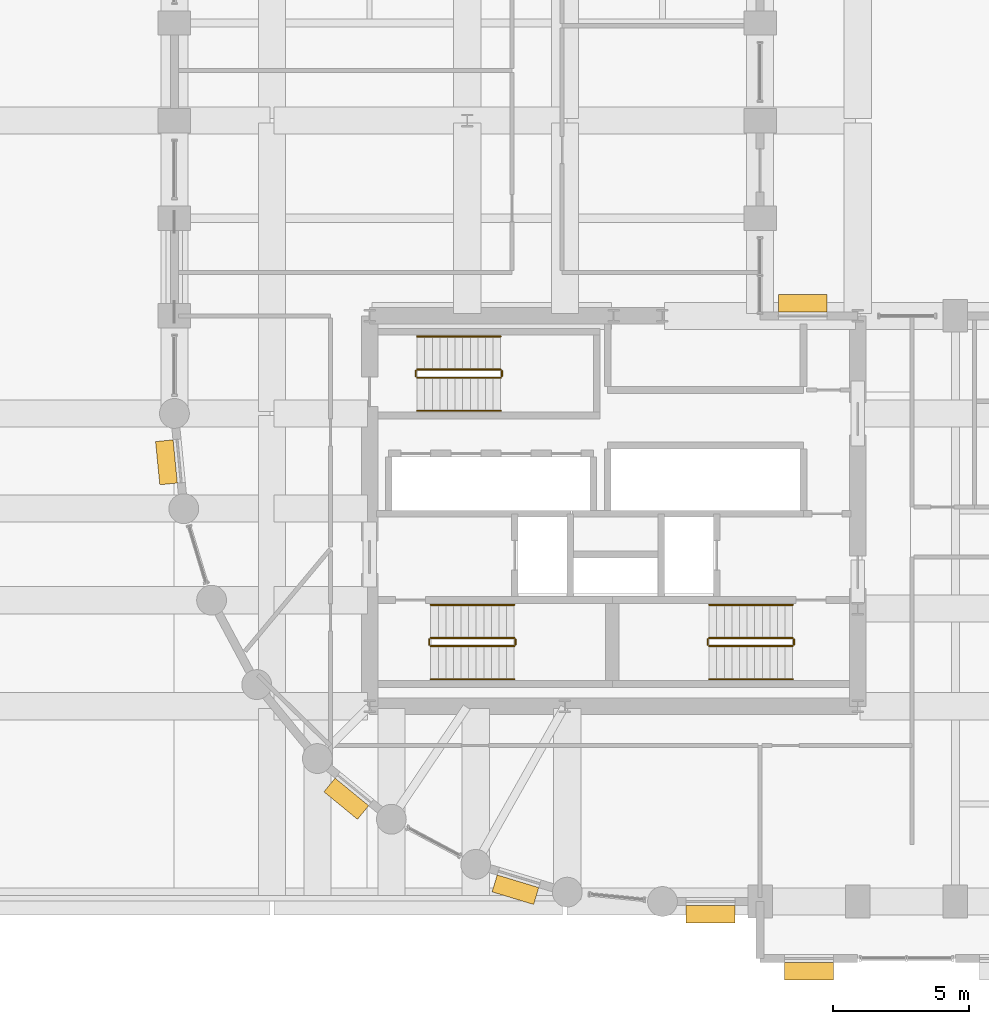
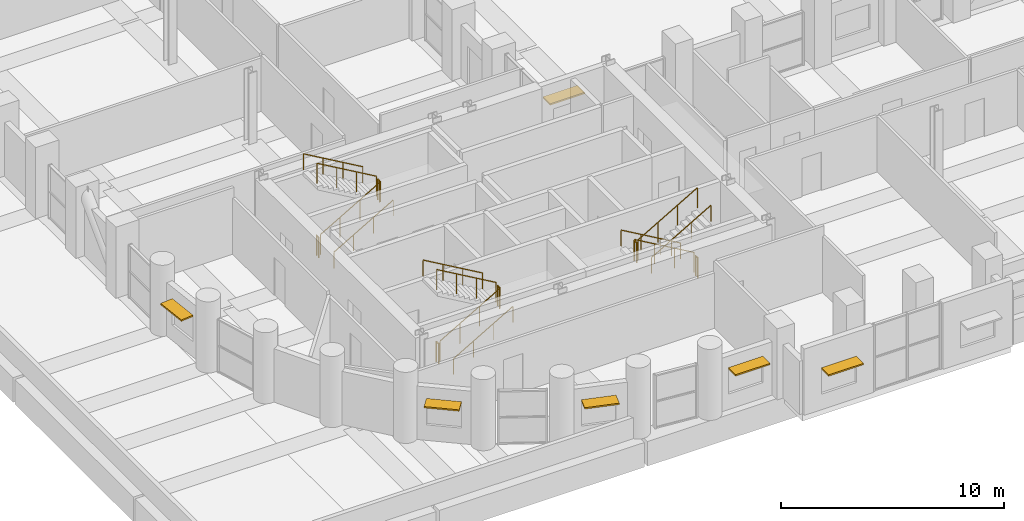
# One storey, part 38 of 39: 18 railings, 6 shading devices.
"""IFC4 building model written with IfcOpenShell, lengths in metres."""

from ifc_helpers import new_model, si_unit, direction, frame, origin, origin_2d, place, context, subcontext, project, spatial, rectangle, circle, extrude, material, layer, layer_set, type_object, element, save


model = new_model("IFC4")

# Units and contexts
model_context = context("Model", 3, precision=1e-05, world=origin(), true_north=direction((0.0, 1.0)))
body_context = subcontext(model_context, "Body", "Model", "MODEL_VIEW")
ifc_project = project(units=[si_unit("LENGTHUNIT", "METRE"), si_unit("AREAUNIT", "SQUARE_METRE"), si_unit("VOLUMEUNIT", "CUBIC_METRE"), si_unit("PLANEANGLEUNIT", "RADIAN"), si_unit("MASSUNIT", "GRAM", prefix="KILO")], contexts=[model_context])

# Site, building, storey
site_placement = place(None, origin())
site = spatial("IfcSite", under=ifc_project, at=site_placement, CompositionType="ELEMENT")
building_placement = place(site_placement, origin())
building = spatial("IfcBuilding", under=site, at=building_placement, Name="Solnavia Interchange Tower", CompositionType="ELEMENT")
storey_placement = place(building_placement, frame((0.0, 0.0, 24.0)))
storey = spatial("IfcBuildingStorey", under=building, at=storey_placement, Name="L05", CompositionType="ELEMENT", Elevation=24.0)

# Railings
ifc_material_1 = material(Name="Painted Steel Balustrade", Category="steel")
railing_type_1 = type_object("IfcRailingType", Name="Railing-StairGuard-1100", PredefinedType="GUARDRAIL", material=ifc_material_1)
railing_1_placement = place(storey_placement, frame((16.64990234375, 13.02001953125, 0.16259765625)))
element("IfcRailing", 1, at=railing_1_placement, inside=storey, type_object=railing_type_1, Name="L05 ST-1 stair guard 1", PredefinedType="GUARDRAIL", context=body_context, shape_type="SweptSolid", body=[
    extrude(circle(Radius=0.02392578125, at=origin_2d()), frame((0.0, 0.0, 1.09619140625), z_axis=(0.864920483161, 0.0, 0.501908913857), x_axis=(0.0, 1.0, 0.0)), (0.0, 0.0, 1.0), 3.56103515625),
    extrude(circle(Radius=0.02099609375, at=origin_2d()), origin(), (0.0, 0.0, 1.0), 1.072021484375),
    extrude(circle(Radius=0.02099609375, at=origin_2d()), frame((1.026611328125, 0.0, 0.595703125)), (0.0, 0.0, 1.0), 1.072021484375),
    extrude(circle(Radius=0.02099609375, at=origin_2d()), frame((2.053466796875, 0.0, 1.191650390625)), (0.0, 0.0, 1.0), 1.072021484375),
    extrude(circle(Radius=0.02099609375, at=origin_2d()), frame((3.080078125, 0.0, 1.787353515625)), (0.0, 0.0, 1.0), 1.072021484375),
])
railing_2_placement = place(storey_placement, frame((19.780029296875, 13.070068359375, 1.949951171875)))
element("IfcRailing", 2, at=railing_2_placement, inside=storey, type_object=railing_type_1, Name="L05 ST-1 stair guard 2", PredefinedType="GUARDRAIL", context=body_context, shape_type="SweptSolid", body=[
    extrude(circle(Radius=0.02392578125, at=origin_2d()), frame((0.0, 0.0, 1.09619140625), z_axis=(0.0, 1.0, 0.0), x_axis=(-1.0, 0.0, 0.0)), (0.0, 0.0, 1.0), 0.199951171875),
    extrude(circle(Radius=0.02099609375, at=origin_2d()), origin(), (0.0, 0.0, 1.0), 1.072021484375),
    extrude(circle(Radius=0.02099609375, at=origin_2d()), frame((0.0, 0.199951171875, 0.0)), (0.0, 0.0, 1.0), 1.072021484375),
])
railing_3_placement = place(storey_placement, frame((19.72998046875, 13.320068359375, 2.112548828125)))
element("IfcRailing", 3, at=railing_3_placement, inside=storey, type_object=railing_type_1, Name="L05 ST-1 stair guard 3", PredefinedType="GUARDRAIL", context=body_context, shape_type="SweptSolid", body=[
    extrude(circle(Radius=0.02392578125, at=origin_2d()), frame((0.0, 0.0, 1.09619140625), z_axis=(-0.864920483161, 0.0, 0.501908913857), x_axis=(0.0, -1.0, 0.0)), (0.0, 0.0, 1.0), 3.56103515625),
    extrude(circle(Radius=0.02099609375, at=origin_2d()), origin(), (0.0, 0.0, 1.0), 1.072021484375),
    extrude(circle(Radius=0.02099609375, at=origin_2d()), frame((-1.026611328125, 0.0, 0.595703125)), (0.0, 0.0, 1.0), 1.072021484375),
    extrude(circle(Radius=0.02099609375, at=origin_2d()), frame((-2.053466796875, 0.0, 1.191650390625)), (0.0, 0.0, 1.0), 1.072021484375),
    extrude(circle(Radius=0.02099609375, at=origin_2d()), frame((-3.080078125, 0.0, 1.787353515625)), (0.0, 0.0, 1.0), 1.072021484375),
])
railing_4_placement = place(storey_placement, frame((16.60009765625, 13.070068359375, 0.0)))
element("IfcRailing", 4, at=railing_4_placement, inside=storey, type_object=railing_type_1, Name="L05 ST-1 stair guard 4", PredefinedType="GUARDRAIL", context=body_context, shape_type="SweptSolid", body=[
    extrude(circle(Radius=0.02392578125, at=origin_2d()), frame((0.0, 0.0, 1.09619140625), z_axis=(0.0, 1.0, 0.0), x_axis=(-1.0, 0.0, 0.0)), (0.0, 0.0, 1.0), 0.199951171875),
    extrude(circle(Radius=0.02099609375, at=origin_2d()), origin(), (0.0, 0.0, 1.0), 1.072021484375),
    extrude(circle(Radius=0.02099609375, at=origin_2d()), frame((0.0, 0.199951171875, 0.0)), (0.0, 0.0, 1.0), 1.072021484375),
])
railing_5_placement = place(storey_placement, frame((30.0, 13.320068359375, 0.16259765625)))
element("IfcRailing", 5, at=railing_5_placement, inside=storey, type_object=railing_type_1, Name="L05 ST-2 stair guard 1", PredefinedType="GUARDRAIL", context=body_context, shape_type="SweptSolid", body=[
    extrude(circle(Radius=0.02392578125, at=origin_2d()), frame((0.0, 0.0, 1.09619140625), z_axis=(-0.864920483161, 0.0, 0.501908913857), x_axis=(0.0, -1.0, 0.0)), (0.0, 0.0, 1.0), 3.56103515625),
    extrude(circle(Radius=0.02099609375, at=origin_2d()), origin(), (0.0, 0.0, 1.0), 1.072021484375),
    extrude(circle(Radius=0.02099609375, at=origin_2d()), frame((-1.026611328125, 0.0, 0.595703125)), (0.0, 0.0, 1.0), 1.072021484375),
    extrude(circle(Radius=0.02099609375, at=origin_2d()), frame((-2.053466796875, 0.0, 1.191650390625)), (0.0, 0.0, 1.0), 1.072021484375),
    extrude(circle(Radius=0.02099609375, at=origin_2d()), frame((-3.080078125, 0.0, 1.787353515625)), (0.0, 0.0, 1.0), 1.072021484375),
])
railing_6_placement = place(storey_placement, frame((26.8701171875, 13.27001953125, 1.949951171875)))
element("IfcRailing", 6, at=railing_6_placement, inside=storey, type_object=railing_type_1, Name="L05 ST-2 stair guard 2", PredefinedType="GUARDRAIL", context=body_context, shape_type="SweptSolid", body=[
    extrude(circle(Radius=0.02392578125, at=origin_2d()), frame((0.0, 0.0, 1.09619140625), z_axis=(0.0, -1.0, 0.0), x_axis=(1.0, 0.0, 0.0)), (0.0, 0.0, 1.0), 0.199951171875),
    extrude(circle(Radius=0.02099609375, at=origin_2d()), origin(), (0.0, 0.0, 1.0), 1.072021484375),
    extrude(circle(Radius=0.02099609375, at=origin_2d()), frame((0.0, -0.199951171875, 0.0)), (0.0, 0.0, 1.0), 1.072021484375),
])
railing_7_placement = place(storey_placement, frame((26.919921875, 13.02001953125, 2.112548828125)))
element("IfcRailing", 7, at=railing_7_placement, inside=storey, type_object=railing_type_1, Name="L05 ST-2 stair guard 3", PredefinedType="GUARDRAIL", context=body_context, shape_type="SweptSolid", body=[
    extrude(circle(Radius=0.02392578125, at=origin_2d()), frame((0.0, 0.0, 1.09619140625), z_axis=(0.864920483161, 0.0, 0.501908913857), x_axis=(0.0, 1.0, 0.0)), (0.0, 0.0, 1.0), 3.56103515625),
    extrude(circle(Radius=0.02099609375, at=origin_2d()), origin(), (0.0, 0.0, 1.0), 1.072021484375),
    extrude(circle(Radius=0.02099609375, at=origin_2d()), frame((1.026611328125, 0.0, 0.595703125)), (0.0, 0.0, 1.0), 1.072021484375),
    extrude(circle(Radius=0.02099609375, at=origin_2d()), frame((2.053466796875, 0.0, 1.191650390625)), (0.0, 0.0, 1.0), 1.072021484375),
    extrude(circle(Radius=0.02099609375, at=origin_2d()), frame((3.080078125, 0.0, 1.787353515625)), (0.0, 0.0, 1.0), 1.072021484375),
])
railing_8_placement = place(storey_placement, frame((30.050048828125, 13.27001953125, 0.0)))
element("IfcRailing", 8, at=railing_8_placement, inside=storey, type_object=railing_type_1, Name="L05 ST-2 stair guard 4", PredefinedType="GUARDRAIL", context=body_context, shape_type="SweptSolid", body=[
    extrude(circle(Radius=0.02392578125, at=origin_2d()), frame((0.0, 0.0, 1.09619140625), z_axis=(0.0, -1.0, 0.0), x_axis=(1.0, 0.0, 0.0)), (0.0, 0.0, 1.0), 0.199951171875),
    extrude(circle(Radius=0.02099609375, at=origin_2d()), origin(), (0.0, 0.0, 1.0), 1.072021484375),
    extrude(circle(Radius=0.02099609375, at=origin_2d()), frame((0.0, -0.199951171875, 0.0)), (0.0, 0.0, 1.0), 1.072021484375),
])
railing_9_placement = place(storey_placement, frame((16.14990234375, 22.919921875, 0.16259765625)))
element("IfcRailing", 9, at=railing_9_placement, inside=storey, type_object=railing_type_1, Name="L05 ST-3 stair guard 1", PredefinedType="GUARDRAIL", context=body_context, shape_type="SweptSolid", body=[
    extrude(circle(Radius=0.02392578125, at=origin_2d()), frame((0.0, 0.0, 1.09619140625), z_axis=(0.864920483161, 0.0, 0.501908913857), x_axis=(0.0, 1.0, 0.0)), (0.0, 0.0, 1.0), 3.56103515625),
    extrude(circle(Radius=0.02099609375, at=origin_2d()), origin(), (0.0, 0.0, 1.0), 1.072021484375),
    extrude(circle(Radius=0.02099609375, at=origin_2d()), frame((1.026611328125, 0.0, 0.595703125)), (0.0, 0.0, 1.0), 1.072021484375),
    extrude(circle(Radius=0.02099609375, at=origin_2d()), frame((2.053466796875, 0.0, 1.191650390625)), (0.0, 0.0, 1.0), 1.072021484375),
    extrude(circle(Radius=0.02099609375, at=origin_2d()), frame((3.080078125, 0.0, 1.787353515625)), (0.0, 0.0, 1.0), 1.072021484375),
])
railing_10_placement = place(storey_placement, frame((19.280029296875, 22.969970703125, 1.949951171875)))
element("IfcRailing", 10, at=railing_10_placement, inside=storey, type_object=railing_type_1, Name="L05 ST-3 stair guard 2", PredefinedType="GUARDRAIL", context=body_context, shape_type="SweptSolid", body=[
    extrude(circle(Radius=0.02392578125, at=origin_2d()), frame((0.0, 0.0, 1.09619140625), z_axis=(0.0, 1.0, 0.0), x_axis=(-1.0, 0.0, 0.0)), (0.0, 0.0, 1.0), 0.199951171875),
    extrude(circle(Radius=0.02099609375, at=origin_2d()), origin(), (0.0, 0.0, 1.0), 1.072021484375),
    extrude(circle(Radius=0.02099609375, at=origin_2d()), frame((0.0, 0.199951171875, 0.0)), (0.0, 0.0, 1.0), 1.072021484375),
])
railing_11_placement = place(storey_placement, frame((19.22998046875, 23.219970703125, 2.112548828125)))
element("IfcRailing", 11, at=railing_11_placement, inside=storey, type_object=railing_type_1, Name="L05 ST-3 stair guard 3", PredefinedType="GUARDRAIL", context=body_context, shape_type="SweptSolid", body=[
    extrude(circle(Radius=0.02392578125, at=origin_2d()), frame((0.0, 0.0, 1.09619140625), z_axis=(-0.864920483161, 0.0, 0.501908913857), x_axis=(0.0, -1.0, 0.0)), (0.0, 0.0, 1.0), 3.56103515625),
    extrude(circle(Radius=0.02099609375, at=origin_2d()), origin(), (0.0, 0.0, 1.0), 1.072021484375),
    extrude(circle(Radius=0.02099609375, at=origin_2d()), frame((-1.026611328125, 0.0, 0.595703125)), (0.0, 0.0, 1.0), 1.072021484375),
    extrude(circle(Radius=0.02099609375, at=origin_2d()), frame((-2.053466796875, 0.0, 1.191650390625)), (0.0, 0.0, 1.0), 1.072021484375),
    extrude(circle(Radius=0.02099609375, at=origin_2d()), frame((-3.080078125, 0.0, 1.787353515625)), (0.0, 0.0, 1.0), 1.072021484375),
])
railing_12_placement = place(storey_placement, frame((16.10009765625, 22.969970703125, 0.0)))
element("IfcRailing", 12, at=railing_12_placement, inside=storey, type_object=railing_type_1, Name="L05 ST-3 stair guard 4", PredefinedType="GUARDRAIL", context=body_context, shape_type="SweptSolid", body=[
    extrude(circle(Radius=0.02392578125, at=origin_2d()), frame((0.0, 0.0, 1.09619140625), z_axis=(0.0, 1.0, 0.0), x_axis=(-1.0, 0.0, 0.0)), (0.0, 0.0, 1.0), 0.199951171875),
    extrude(circle(Radius=0.02099609375, at=origin_2d()), origin(), (0.0, 0.0, 1.0), 1.072021484375),
    extrude(circle(Radius=0.02099609375, at=origin_2d()), frame((0.0, 0.199951171875, 0.0)), (0.0, 0.0, 1.0), 1.072021484375),
])
ifc_material_2 = material(Name="Brushed Stainless Steel", Category="steel")
railing_type_2 = type_object("IfcRailingType", Name="Railing-StairHandrail-900", PredefinedType="HANDRAIL", material=ifc_material_2)
railing_13_placement = place(storey_placement, frame((16.64990234375, 11.800048828125, 0.16259765625)))
element("IfcRailing", 13, at=railing_13_placement, inside=storey, type_object=railing_type_2, Name="L05 ST-1 stair handrail 1", PredefinedType="HANDRAIL", context=body_context, shape_type="SweptSolid", body=[
    extrude(circle(Radius=0.02392578125, at=origin_2d()), frame((0.0, 0.0, 0.8759765625), z_axis=(0.864920483161, 0.0, 0.501908913857), x_axis=(0.0, 1.0, 0.0)), (0.0, 0.0, 1.0), 3.56103515625),
    extrude(circle(Radius=0.02099609375, at=origin_2d()), origin(), (0.0, 0.0, 1.0), 0.851806640625),
    extrude(circle(Radius=0.02099609375, at=origin_2d()), frame((1.026611328125, 0.0, 0.595703125)), (0.0, 0.0, 1.0), 0.851806640625),
    extrude(circle(Radius=0.02099609375, at=origin_2d()), frame((2.053466796875, 0.0, 1.191650390625)), (0.0, 0.0, 1.0), 0.851806640625),
    extrude(circle(Radius=0.02099609375, at=origin_2d()), frame((3.080078125, 0.0, 1.787353515625)), (0.0, 0.0, 1.0), 0.851806640625),
])
for number, where, name in (
    (14, (19.72998046875, 14.5400390625, 2.112548828125), "L05 ST-1 stair handrail 2"),
    (15, (30.0, 14.5400390625, 0.16259765625), "L05 ST-2 stair handrail 1"),
):
    element("IfcRailing", number, at=place(storey_placement, frame(where)), inside=storey, type_object=railing_type_2, Name=name, PredefinedType="HANDRAIL", context=body_context, shape_type="SweptSolid", body=[
        extrude(circle(Radius=0.02392578125, at=origin_2d()), frame((0.0, 0.0, 0.8759765625), z_axis=(-0.864920483161, 0.0, 0.501908913857), x_axis=(0.0, -1.0, 0.0)), (0.0, 0.0, 1.0), 3.56103515625),
        extrude(circle(Radius=0.02099609375, at=origin_2d()), origin(), (0.0, 0.0, 1.0), 0.851806640625),
        extrude(circle(Radius=0.02099609375, at=origin_2d()), frame((-1.026611328125, 0.0, 0.595703125)), (0.0, 0.0, 1.0), 0.851806640625),
        extrude(circle(Radius=0.02099609375, at=origin_2d()), frame((-2.053466796875, 0.0, 1.191650390625)), (0.0, 0.0, 1.0), 0.851806640625),
        extrude(circle(Radius=0.02099609375, at=origin_2d()), frame((-3.080078125, 0.0, 1.787353515625)), (0.0, 0.0, 1.0), 0.851806640625),
    ])
for number, where, name in (
    (16, (26.919921875, 11.800048828125, 2.112548828125), "L05 ST-2 stair handrail 2"),
    (17, (16.14990234375, 21.699951171875, 0.16259765625), "L05 ST-3 stair handrail 1"),
):
    element("IfcRailing", number, at=place(storey_placement, frame(where)), inside=storey, type_object=railing_type_2, Name=name, PredefinedType="HANDRAIL", context=body_context, shape_type="SweptSolid", body=[
        extrude(circle(Radius=0.02392578125, at=origin_2d()), frame((0.0, 0.0, 0.8759765625), z_axis=(0.864920483161, 0.0, 0.501908913857), x_axis=(0.0, 1.0, 0.0)), (0.0, 0.0, 1.0), 3.56103515625),
        extrude(circle(Radius=0.02099609375, at=origin_2d()), origin(), (0.0, 0.0, 1.0), 0.851806640625),
        extrude(circle(Radius=0.02099609375, at=origin_2d()), frame((1.026611328125, 0.0, 0.595703125)), (0.0, 0.0, 1.0), 0.851806640625),
        extrude(circle(Radius=0.02099609375, at=origin_2d()), frame((2.053466796875, 0.0, 1.191650390625)), (0.0, 0.0, 1.0), 0.851806640625),
        extrude(circle(Radius=0.02099609375, at=origin_2d()), frame((3.080078125, 0.0, 1.787353515625)), (0.0, 0.0, 1.0), 0.851806640625),
    ])
railing_14_placement = place(storey_placement, frame((19.22998046875, 24.43994140625, 2.112548828125)))
element("IfcRailing", 18, at=railing_14_placement, inside=storey, type_object=railing_type_2, Name="L05 ST-3 stair handrail 2", PredefinedType="HANDRAIL", context=body_context, shape_type="SweptSolid", body=[
    extrude(circle(Radius=0.02392578125, at=origin_2d()), frame((0.0, 0.0, 0.8759765625), z_axis=(-0.864920483161, 0.0, 0.501908913857), x_axis=(0.0, -1.0, 0.0)), (0.0, 0.0, 1.0), 3.56103515625),
    extrude(circle(Radius=0.02099609375, at=origin_2d()), origin(), (0.0, 0.0, 1.0), 0.851806640625),
    extrude(circle(Radius=0.02099609375, at=origin_2d()), frame((-1.026611328125, 0.0, 0.595703125)), (0.0, 0.0, 1.0), 0.851806640625),
    extrude(circle(Radius=0.02099609375, at=origin_2d()), frame((-2.053466796875, 0.0, 1.191650390625)), (0.0, 0.0, 1.0), 0.851806640625),
    extrude(circle(Radius=0.02099609375, at=origin_2d()), frame((-3.080078125, 0.0, 1.787353515625)), (0.0, 0.0, 1.0), 0.851806640625),
])

# Shading devices
ifc_material_3 = material(Name="Anodised Aluminium Sunshade", Category="aluminium")
ifc_layer = layer(ifc_material_3, 0.080078125)
ifc_layer_set = layer_set([ifc_layer], Name="Anodised Aluminium Sunshade")
shading_device_type = type_object("IfcShadingDeviceType", Name="Sunshade-Band-650", PredefinedType="SHUTTER", material=ifc_layer_set)
for number, where, z_axis, x_axis, name in (
    (19, (26.97509765625, 3.1298828125, 2.219970703125), (0.0, 0.0, 1.0), (-1.0, 0.0, 0.0), "SHD-L05-01 Horizontal sunshade band"),
    (20, (30.60009765625, 1.030029296875, 2.219970703125), (0.0, 0.0, 1.0), (-1.0, 0.0, 0.0), "SHD-L05-03 Horizontal sunshade band"),
    (21, (30.3701171875, 25.669921875, 2.219970703125), (0.0, 0.0, 1.0), (1.0, 0.0, 0.0), "SHD-L05-31 Horizontal sunshade band"),
):
    element("IfcShadingDevice", number, at=place(storey_placement, frame(where, z_axis=z_axis, x_axis=x_axis)), inside=storey, type_object=shading_device_type, Name=name, PredefinedType="SHUTTER", context=body_context, shape_type="SweptSolid", body=[
        extrude(rectangle(XDim=1.800048828125, YDim=0.64990234375, at=origin_2d()), origin(), (0.0, 0.0, 1.0), 0.080078125),
    ])
for number, where, z_axis, x_axis, name in (
    (22, (6.9052734375, 19.79833984375, 2.219970703125), (0.0, 0.0, 1.0), (-0.098103986207, 0.995176169274, 0.0), "SHD-L05-57 Horizontal sunshade band"),
    (23, (13.5380859375, 7.389404296875, 2.219970703125), (0.0, 0.0, 1.0), (-0.773176510644, 0.634190888762, 0.0), "SHD-L05-61 Horizontal sunshade band"),
    (24, (19.775390625, 4.034912109375, 2.219970703125), (0.0, 0.0, 1.0), (-0.956965664205, 0.290201167351, 0.0), "SHD-L05-63 Horizontal sunshade band"),
):
    element("IfcShadingDevice", number, at=place(storey_placement, frame(where, z_axis=z_axis, x_axis=x_axis)), inside=storey, type_object=shading_device_type, Name=name, PredefinedType="SHUTTER", context=body_context, shape_type="SweptSolid", body=[
        extrude(rectangle(XDim=1.60009765625, YDim=0.64990234375, at=origin_2d()), origin(), (0.0, 0.0, 1.0), 0.080078125),
    ])

save(model, "model.ifc")
